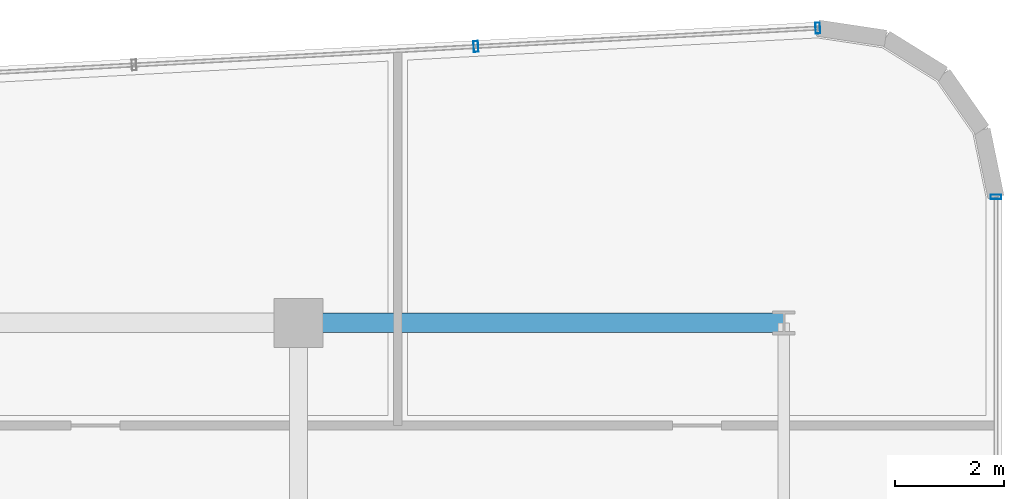
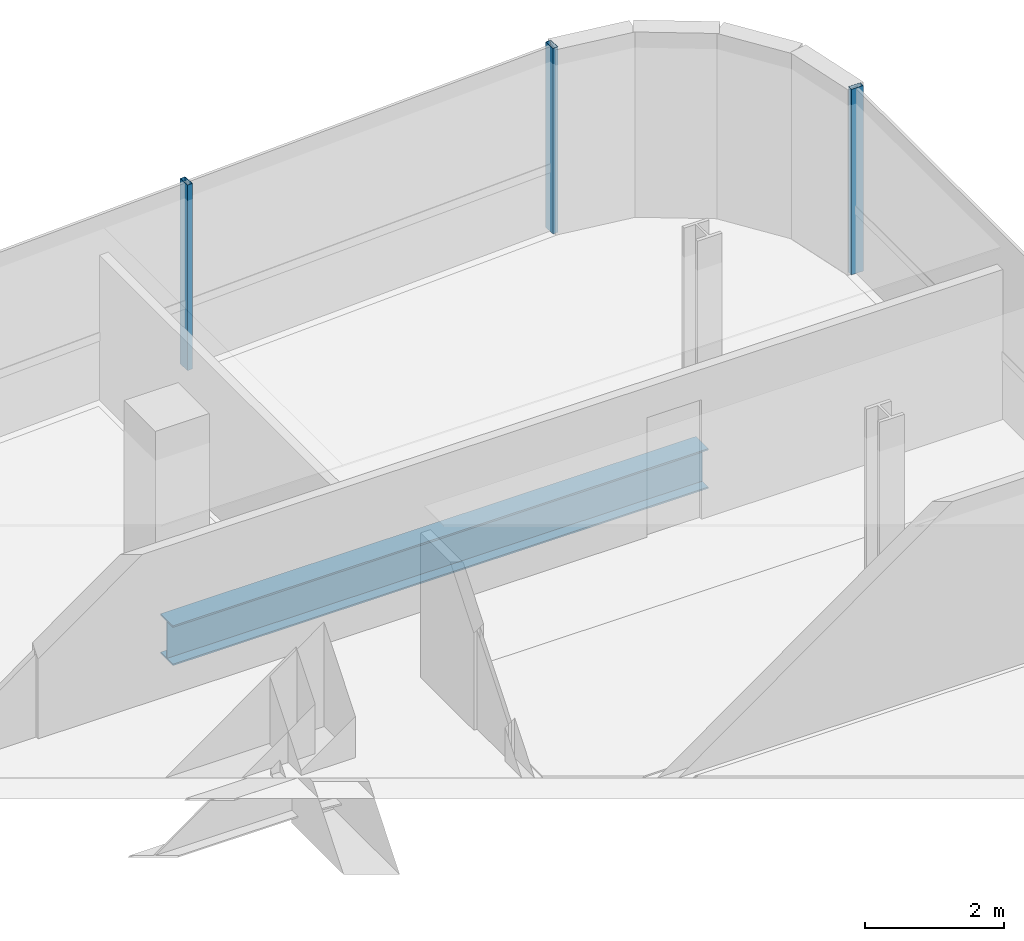
# One storey, part 15 of 21: 3 members, 1 beam, 2 elements without a shape of their own.
"""IFC4 building model written with IfcOpenShell, lengths in metres."""

from ifc_helpers import new_model, si_unit, direction, frame, origin, origin_2d, place, context, subcontext, project, spatial, hollow_rectangle, i_section, extrude, source, transform, mapped, material, material_profile, profile_set, type_object, element, aggregate, save


model = new_model("IFC4")

# Units and contexts
model_context = context("Model", 3, precision=1e-05, world=origin(), true_north=direction((0.0, 1.0)))
body_context = subcontext(model_context, "Body", "Model", "MODEL_VIEW")
ifc_project = project(units=[si_unit("LENGTHUNIT", "METRE"), si_unit("AREAUNIT", "SQUARE_METRE"), si_unit("VOLUMEUNIT", "CUBIC_METRE"), si_unit("PLANEANGLEUNIT", "RADIAN"), si_unit("MASSUNIT", "GRAM", prefix="KILO")], contexts=[model_context])

# Site, building, storey
site_placement = place(None, origin())
site = spatial("IfcSite", under=ifc_project, at=site_placement, CompositionType="ELEMENT")
building_placement = place(site_placement, origin())
building = spatial("IfcBuilding", under=site, at=building_placement, Name="Valdorenza Pilgrim Sanctuary Tower", CompositionType="ELEMENT")
storey_placement = place(building_placement, frame((0.0, 0.0, 219.5)))
storey = spatial("IfcBuildingStorey", under=building, at=storey_placement, Name="L56", CompositionType="ELEMENT", Elevation=219.5)

# Beam
ifc_material_1 = material(Name="Steel ASTM A992 Grade 50", Category="steel")
ifc_material_profile_1 = material_profile(ifc_material_1, i_section(OverallWidth=0.35595703125, OverallDepth=0.700927734375, WebThickness=0.016845703125, FlangeThickness=0.02734375, at=origin_2d()), Name="W27X161")
ifc_profile_set_1 = profile_set([ifc_material_profile_1], Name="Steel ASTM A992 Grade 50")
beam_type = type_object("IfcBeamType", Name="STR-BM-GRD-W27", PredefinedType="BEAM", material=ifc_profile_set_1)
shared_shape_1 = source(origin(), body_context, "Body", "SweptSolid", [
    extrude(i_section(OverallWidth=0.35595703125, OverallDepth=0.700927734375, WebThickness=0.016845703125, FlangeThickness=0.02734375, at=origin_2d()), origin(), (0.0, 0.0, 1.0), 8.89990234375),
])
beam_placement = place(storey_placement, frame((-12.39990234375, 14.800048828125, -0.590576171875), z_axis=(1.0, 0.0, 0.0), x_axis=(0.0, 1.0, 0.0)))
element("IfcBeam", 1, at=beam_placement, inside=storey, type_object=beam_type, Name="L56 Floor Girder UWA-KG2", PredefinedType="BEAM", context=body_context, shape_type="MappedRepresentation", body=[
    mapped(shared_shape_1, transform((0.0, 0.0, 0.0), x_axis=(1.0, 0.0, 0.0), y_axis=(0.0, 1.0, 0.0), z_axis=(0.0, 0.0, 1.0), scale=1.0)),
])

# Curtain wall, members
ifc_material_2 = material(Name="Curtain-wall IGU glazing", Category="glass")
curtain_wall_type = type_object("IfcCurtainWallType", Name="CW-SYS-02", PredefinedType="NOTDEFINED", material=ifc_material_2)
curtain_wall_1_placement = place(storey_placement, origin())
curtain_wall_1 = element("IfcCurtainWall", 2, at=curtain_wall_1_placement, inside=storey, type_object=curtain_wall_type, Name="L56 Curtain Wall CW-L56-1-6", PredefinedType="NOTDEFINED")
ifc_material_3 = material(Name="Anodised aluminium AW-6060", Category="aluminium")
ifc_material_profile_2 = material_profile(ifc_material_3, hollow_rectangle(XDim=0.0849609375, YDim=0.199951171875, WallThickness=0.0048828125, at=origin_2d()), Name="ALU-M 200x85x5")
ifc_profile_set_2 = profile_set([ifc_material_profile_2], Name="Anodised aluminium AW-6060")
member_type = type_object("IfcMemberType", Name="CW-MUL-02", PredefinedType="MULLION", material=ifc_profile_set_2)
shared_shape_2 = source(origin(), body_context, "Body", "SweptSolid", [
    extrude(hollow_rectangle(XDim=0.0849609375, YDim=0.199951171875, WallThickness=0.0048828125, at=origin_2d()), origin(), (0.0, 0.0, 1.0), 3.260009765625),
])
member_1_placement = place(storey_placement, frame((-9.147216796875, 19.869140625, 0.0), z_axis=(0.0, 0.0, 1.0), x_axis=(0.998547034311, 0.053887106711, 0.0)))
member_1 = element("IfcMember", 3, at=member_1_placement, type_object=member_type, Name="CW-L56-1-6 Mullion 4", PredefinedType="MULLION", context=body_context, shape_type="MappedRepresentation", body=[
    mapped(shared_shape_2, transform((0.0, 0.0, 0.0), x_axis=(1.0, 0.0, 0.0), y_axis=(0.0, 1.0, 0.0), z_axis=(0.0, 0.0, 1.0), scale=1.0)),
])
member_2_placement = place(storey_placement, frame((-2.877685546875, 20.20751953125, 0.0), z_axis=(0.0, 0.0, 1.0), x_axis=(0.998547034311, 0.053887106711, 0.0)))
member_2 = element("IfcMember", 4, at=member_2_placement, type_object=member_type, Name="CW-L56-1-6 Mullion 5", PredefinedType="MULLION", context=body_context, shape_type="MappedRepresentation", body=[
    mapped(shared_shape_2, transform((0.0, 0.0, 0.0), x_axis=(1.0, 0.0, 0.0), y_axis=(0.0, 1.0, 0.0), z_axis=(0.0, 0.0, 1.0), scale=1.0)),
])
aggregate(curtain_wall_1, [member_1, member_2])

# Curtain wall, member
curtain_wall_2_placement = place(storey_placement, origin())
curtain_wall_2 = element("IfcCurtainWall", 5, at=curtain_wall_2_placement, inside=storey, type_object=curtain_wall_type, Name="L56 Curtain Wall CW-L56-1-11", PredefinedType="NOTDEFINED")
member_3_placement = place(storey_placement, frame((0.389892578125, 17.111328125, 0.0), z_axis=(0.0, 0.0, 1.0), x_axis=(0.0, -1.0, 0.0)))
member_3 = element("IfcMember", 6, at=member_3_placement, type_object=member_type, Name="CW-L56-1-11 Mullion 1", PredefinedType="MULLION", context=body_context, shape_type="MappedRepresentation", body=[
    mapped(shared_shape_2, transform((0.0, 0.0, 0.0), x_axis=(1.0, 0.0, 0.0), y_axis=(0.0, 1.0, 0.0), z_axis=(0.0, 0.0, 1.0), scale=1.0)),
])
aggregate(curtain_wall_2, [member_3])

save(model, "model.ifc")
